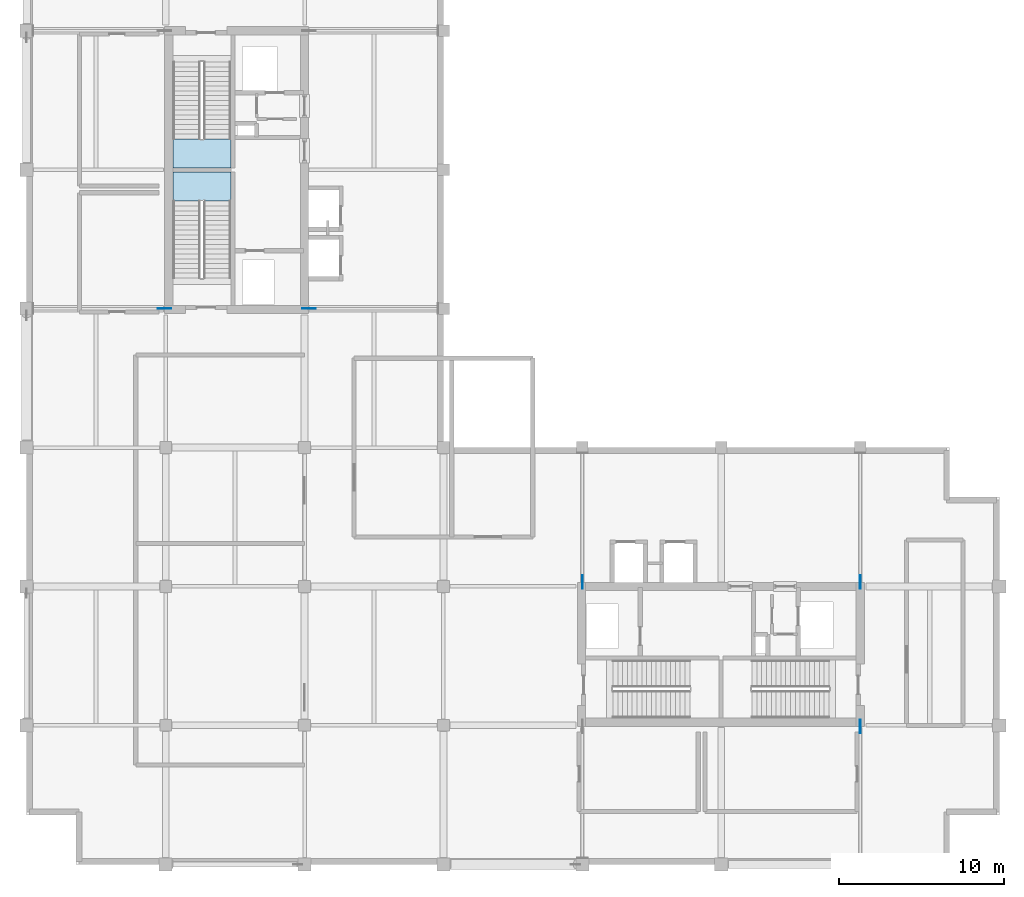
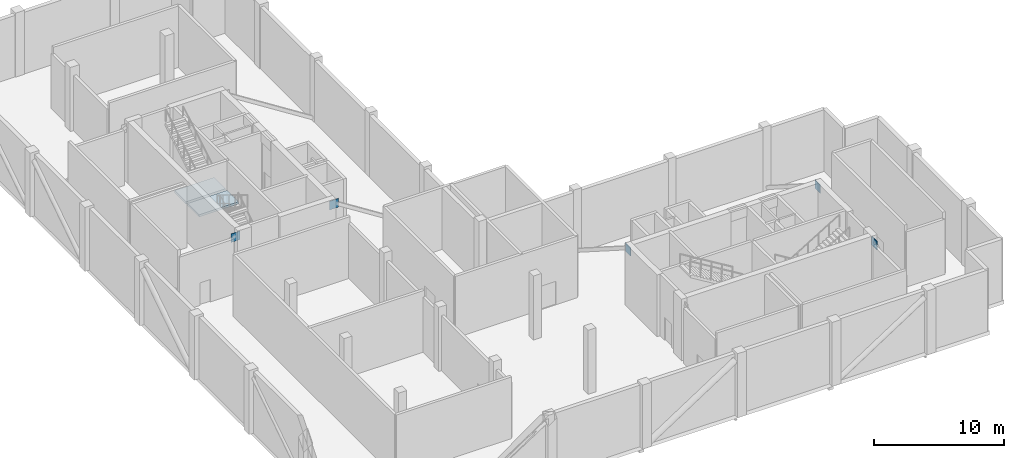
# One storey, part 3 of 14: 5 plates, 2 slabs, 2 elements without a shape of their own.
"""IFC4 building model written with IfcOpenShell, lengths in metres."""

from ifc_helpers import new_model, si_unit, direction, frame, origin, origin_2d, place, context, subcontext, project, spatial, polyline, rectangle, outline, extrude, material, layer, layer_set, type_object, element, aggregate, save


model = new_model("IFC4")

# Units and contexts
model_context = context("Model", 3, precision=1e-05, world=origin(), true_north=direction((0.0, 1.0)))
body_context = subcontext(model_context, "Body", "Model", "MODEL_VIEW")
ifc_project = project(units=[si_unit("LENGTHUNIT", "METRE"), si_unit("AREAUNIT", "SQUARE_METRE"), si_unit("VOLUMEUNIT", "CUBIC_METRE"), si_unit("PLANEANGLEUNIT", "RADIAN"), si_unit("MASSUNIT", "GRAM", prefix="KILO")], contexts=[model_context])

# Site, building, storey
site_placement = place(None, origin())
site = spatial("IfcSite", under=ifc_project, at=site_placement, CompositionType="ELEMENT")
building_placement = place(site_placement, origin())
building = spatial("IfcBuilding", under=site, at=building_placement, Name="Koriwani Terraces Tower", CompositionType="ELEMENT")
storey_placement = place(building_placement, frame((0.0, 0.0, 294.800048828125)))
storey = spatial("IfcBuildingStorey", under=building, at=storey_placement, Name="L73", CompositionType="ELEMENT", Elevation=294.800048828125)

# Stair, slab
ifc_material_1 = material(Name="Concrete C40/50", Category="concrete")
stair_type = type_object("IfcStairType", Name="STAIR_CORE_DOGLEG_1650", PredefinedType="TWO_STRAIGHT_RUN_STAIR", material=ifc_material_1)
stair_1_placement = place(storey_placement, origin())
stair_1 = element("IfcStair", 1, at=stair_1_placement, inside=storey, type_object=stair_type, Name="L73 West Core Exit Stair 1", PredefinedType="HALF_TURN_STAIR")
ifc_layer_1 = layer(ifc_material_1, 0.199951171875, Name="Concrete C40/50")
ifc_layer_set_1 = layer_set([ifc_layer_1], Name="Concrete C40/50")
slab_type = type_object("IfcSlabType", Name="SLAB_STAIR_LANDING_200", PredefinedType="LANDING", material=ifc_layer_set_1)
slab_1_placement = place(storey_placement, frame((0.0, 0.0, 2.800048828125)))
slab_1 = element("IfcSlab", 2, at=slab_1_placement, type_object=slab_type, Name="ST-W1 landing 1", PredefinedType="LANDING", context=body_context, shape_type="SweptSolid", body=[
    extrude(outline(polyline([(20.75, 48.489990234375), (20.75, 50.25), (17.25, 50.25), (17.25, 48.489990234375), (20.75, 48.489990234375)])), origin(), (0.0, 0.0, 1.0), 0.199951171875),
])
aggregate(stair_1, [slab_1])

stair_2_placement = place(storey_placement, origin())
stair_2 = element("IfcStair", 3, at=stair_2_placement, inside=storey, type_object=stair_type, Name="L73 West Core Exit Stair 2", PredefinedType="HALF_TURN_STAIR")
slab_2_placement = place(storey_placement, frame((0.0, 0.0, 2.800048828125)))
slab_2 = element("IfcSlab", 4, at=slab_2_placement, type_object=slab_type, Name="ST-W2 landing 1", PredefinedType="LANDING", context=body_context, shape_type="SweptSolid", body=[
    extrude(outline(polyline([(17.25, 52.260009765625), (17.25, 50.5), (20.75, 50.5), (20.75, 52.260009765625), (17.25, 52.260009765625)])), origin(), (0.0, 0.0, 1.0), 0.199951171875),
])
aggregate(stair_2, [slab_2])

# Plates
ifc_material_2 = material(Name="Steel ASTM A572 Grade 50", Category="steel")
ifc_layer_2 = layer(ifc_material_2, 0.0400390625, Name="Steel ASTM A572 Grade 50")
ifc_layer_set_2 = layer_set([ifc_layer_2], Name="Steel ASTM A572 Grade 50")
plate_type = type_object("IfcPlateType", Name="STEEL_GUSSET_PLATE_40", PredefinedType="USERDEFINED", material=ifc_layer_set_2)
for number, where, z_axis, x_axis, name in (
    (5, (16.72998046875, 42.0, 4.669921875), (0.0, 0.0, 1.0), (1.0, 0.0, 0.0), "Outrigger truss node gusset plate L73-OW-W1"),
    (6, (25.469970703125, 42.0, 4.669921875), (0.0, 0.0, 1.0), (-1.0, 0.0, 0.0), "Outrigger truss node gusset plate L73-OW-E1"),
    (7, (58.800048828125, 16.72998046875, 4.669921875), (0.0, 0.0, 1.0), (0.0, 1.0, 0.0), "Outrigger truss node gusset plate L73-OE-S2"),
    (8, (42.0, 25.469970703125, 4.669921875), (0.0, 0.0, 1.0), (0.0, -1.0, 0.0), "Outrigger truss node gusset plate L73-OE-N1"),
    (9, (58.800048828125, 25.469970703125, 4.669921875), (0.0, 0.0, 1.0), (0.0, -1.0, 0.0), "Outrigger truss node gusset plate L73-OE-N2"),
):
    element("IfcPlate", number, at=place(storey_placement, frame(where, z_axis=z_axis, x_axis=x_axis)), inside=storey, type_object=plate_type, Name=name, ObjectType="GUSSET_PLATE", PredefinedType="USERDEFINED", context=body_context, shape_type="SweptSolid", body=[
        extrude(rectangle(XDim=0.800048828125, YDim=0.0400390625, at=origin_2d()), origin(), (0.0, 0.0, 1.0), 0.800048828125),
    ])

save(model, "model.ifc")
